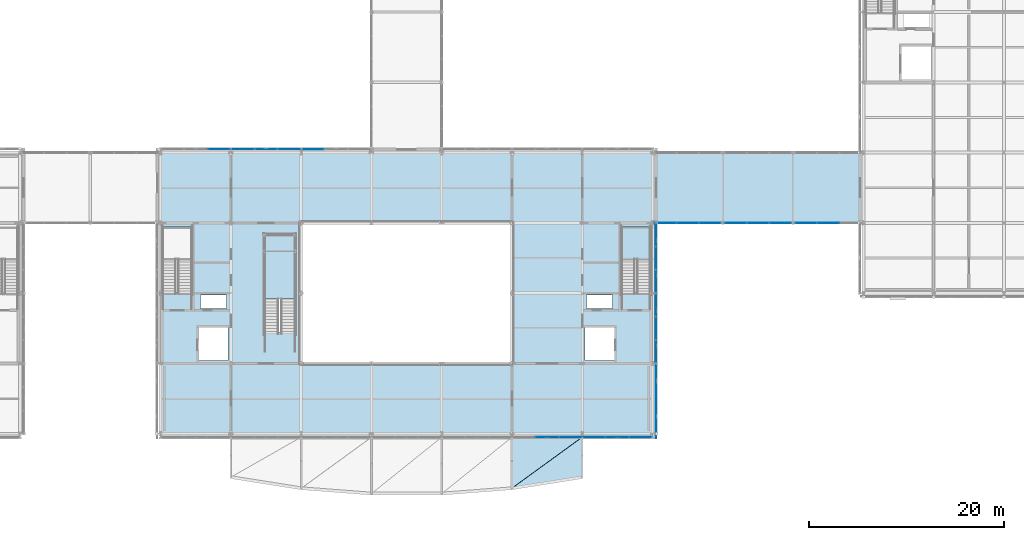
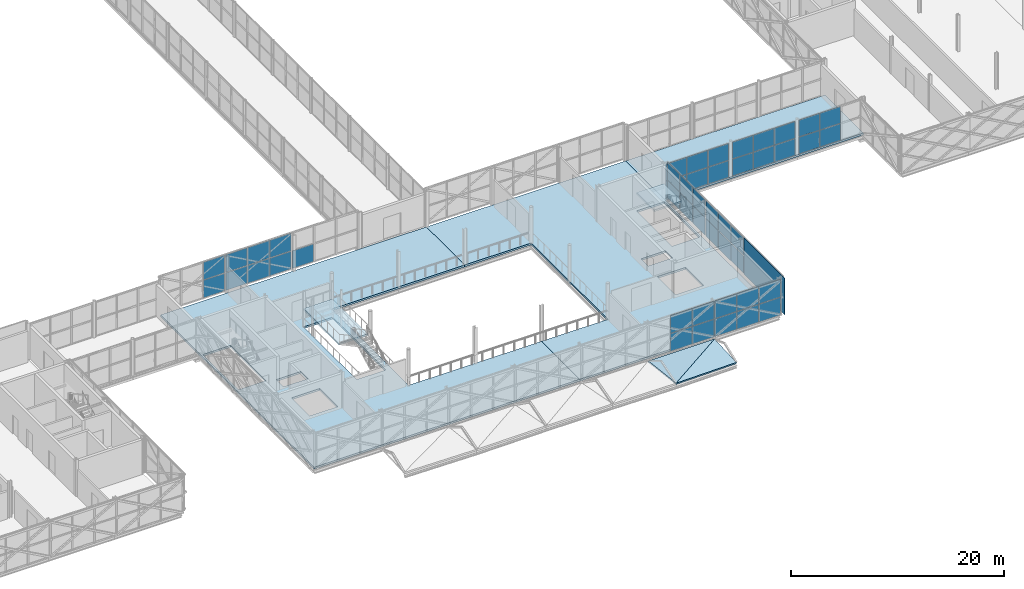
# One storey, part 89 of 146: 48 plates, 7 slabs, 12 elements without a shape of their own.
"""IFC4 building model written with IfcOpenShell, lengths in metres."""

from ifc_helpers import new_model, si_unit, direction, frame, origin, origin_2d, place, context, subcontext, project, spatial, polyline, rectangle, outline, extrude, material, layer, layer_set, type_object, element, aggregate, save


model = new_model("IFC4")

# Units and contexts
model_context = context("Model", 3, precision=1e-05, world=origin(), true_north=direction((0.0, 1.0)))
body_context = subcontext(model_context, "Body", "Model", "MODEL_VIEW")
ifc_project = project(units=[si_unit("LENGTHUNIT", "METRE"), si_unit("AREAUNIT", "SQUARE_METRE"), si_unit("VOLUMEUNIT", "CUBIC_METRE"), si_unit("PLANEANGLEUNIT", "RADIAN"), si_unit("MASSUNIT", "GRAM", prefix="KILO")], contexts=[model_context])

# Site, building, storey
site_placement = place(None, origin())
site = spatial("IfcSite", under=ifc_project, at=site_placement, CompositionType="ELEMENT")
building_placement = place(site_placement, origin())
building = spatial("IfcBuilding", under=site, at=building_placement, Name="Zlatovets Crest Museum", CompositionType="ELEMENT")
storey_placement = place(building_placement, frame((0.0, 0.0, 4.5)))
storey = spatial("IfcBuildingStorey", under=building, at=storey_placement, Name="L01", CompositionType="ELEMENT", Elevation=4.5)

# Curtain wall, plates
ifc_material_1 = material(Name="Bronze-anodised aluminium and low-E triple glass", Category="aluminium")
curtain_wall_type_1 = type_object("IfcCurtainWallType", Name="CW_CW-BR4-L01-S69", PredefinedType="NOTDEFINED", material=ifc_material_1)
curtain_wall_1_placement = place(storey_placement, origin())
curtain_wall_1 = element("IfcCurtainWall", 1, at=curtain_wall_1_placement, inside=storey, type_object=curtain_wall_type_1, Name="Southeast Archive Glazed Link Bridge L01 Glazed Bridge Curtain Wall", PredefinedType="NOTDEFINED")
ifc_material_2 = material(Name="Solar-control low-E laminated triple glass", Category="glass")
ifc_layer_1 = layer(ifc_material_2, 0.030029296875)
ifc_layer_set_1 = layer_set([ifc_layer_1], Name="Solar-control low-E laminated triple glass")
plate_type_1 = type_object("IfcPlateType", Name="CWPanel_CW-BR4-L01-S69", PredefinedType="CURTAIN_PANEL", material=ifc_layer_set_1)
plate_1_placement = place(storey_placement, frame((109.31494140625, 21.60009765625, 0.06005859375), z_axis=(0.0, 0.0, 1.0), x_axis=(1.0, 0.0, 0.0)))
plate_1 = element("IfcPlate", 2, at=plate_1_placement, type_object=plate_type_1, Name="CW-BR4-L01-S69 panel 1.1", PredefinedType="CURTAIN_PANEL", context=body_context, shape_type="SweptSolid", body=[
    extrude(rectangle(XDim=2.2099609375, YDim=0.030029296875, at=origin_2d()), origin(), (0.0, 0.0, 1.0), 1.89990234375),
])
plate_2_placement = place(storey_placement, frame((109.31494140625, 21.60009765625, 2.02001953125), z_axis=(0.0, 0.0, 1.0), x_axis=(1.0, 0.0, 0.0)))
plate_2 = element("IfcPlate", 3, at=plate_2_placement, type_object=plate_type_1, Name="CW-BR4-L01-S69 panel 1.2", PredefinedType="CURTAIN_PANEL", context=body_context, shape_type="SweptSolid", body=[
    extrude(rectangle(XDim=2.2099609375, YDim=0.030029296875, at=origin_2d()), origin(), (0.0, 0.0, 1.0), 1.89990234375),
])
plate_3_placement = place(storey_placement, frame((111.60009765625, 21.60009765625, 0.06005859375), z_axis=(0.0, 0.0, 1.0), x_axis=(1.0, 0.0, 0.0)))
plate_3 = element("IfcPlate", 4, at=plate_3_placement, type_object=plate_type_1, Name="CW-BR4-L01-S69 panel 2.1", PredefinedType="CURTAIN_PANEL", context=body_context, shape_type="SweptSolid", body=[
    extrude(rectangle(XDim=2.239990234375, YDim=0.030029296875, at=origin_2d()), origin(), (0.0, 0.0, 1.0), 1.89990234375),
])
plate_4_placement = place(storey_placement, frame((111.60009765625, 21.60009765625, 2.02001953125), z_axis=(0.0, 0.0, 1.0), x_axis=(1.0, 0.0, 0.0)))
plate_4 = element("IfcPlate", 5, at=plate_4_placement, type_object=plate_type_1, Name="CW-BR4-L01-S69 panel 2.2", PredefinedType="CURTAIN_PANEL", context=body_context, shape_type="SweptSolid", body=[
    extrude(rectangle(XDim=2.239990234375, YDim=0.030029296875, at=origin_2d()), origin(), (0.0, 0.0, 1.0), 1.89990234375),
])
plate_5_placement = place(storey_placement, frame((113.885009765625, 21.60009765625, 0.06005859375), z_axis=(0.0, 0.0, 1.0), x_axis=(1.0, 0.0, 0.0)))
plate_5 = element("IfcPlate", 6, at=plate_5_placement, type_object=plate_type_1, Name="CW-BR4-L01-S69 panel 3.1", PredefinedType="CURTAIN_PANEL", context=body_context, shape_type="SweptSolid", body=[
    extrude(rectangle(XDim=2.2099609375, YDim=0.030029296875, at=origin_2d()), origin(), (0.0, 0.0, 1.0), 1.89990234375),
])
plate_6_placement = place(storey_placement, frame((113.885009765625, 21.60009765625, 2.02001953125), z_axis=(0.0, 0.0, 1.0), x_axis=(1.0, 0.0, 0.0)))
plate_6 = element("IfcPlate", 7, at=plate_6_placement, type_object=plate_type_1, Name="CW-BR4-L01-S69 panel 3.2", PredefinedType="CURTAIN_PANEL", context=body_context, shape_type="SweptSolid", body=[
    extrude(rectangle(XDim=2.2099609375, YDim=0.030029296875, at=origin_2d()), origin(), (0.0, 0.0, 1.0), 1.89990234375),
])
aggregate(curtain_wall_1, [plate_1, plate_2, plate_3, plate_4, plate_5, plate_6])

curtain_wall_2_placement = place(storey_placement, origin())
curtain_wall_2 = element("IfcCurtainWall", 8, at=curtain_wall_2_placement, inside=storey, type_object=curtain_wall_type_1, Name="Southeast Archive Glazed Link Bridge L01 Glazed Bridge Curtain Wall", PredefinedType="NOTDEFINED")
plate_7_placement = place(storey_placement, frame((116.514892578125, 21.60009765625, 0.06005859375), z_axis=(0.0, 0.0, 1.0), x_axis=(1.0, 0.0, 0.0)))
plate_7 = element("IfcPlate", 9, at=plate_7_placement, type_object=plate_type_1, Name="CW-BR4-L01-S69 panel 1.1", PredefinedType="CURTAIN_PANEL", context=body_context, shape_type="SweptSolid", body=[
    extrude(rectangle(XDim=2.2099609375, YDim=0.030029296875, at=origin_2d()), origin(), (0.0, 0.0, 1.0), 1.89990234375),
])
plate_8_placement = place(storey_placement, frame((116.514892578125, 21.60009765625, 2.02001953125), z_axis=(0.0, 0.0, 1.0), x_axis=(1.0, 0.0, 0.0)))
plate_8 = element("IfcPlate", 10, at=plate_8_placement, type_object=plate_type_1, Name="CW-BR4-L01-S69 panel 1.2", PredefinedType="CURTAIN_PANEL", context=body_context, shape_type="SweptSolid", body=[
    extrude(rectangle(XDim=2.2099609375, YDim=0.030029296875, at=origin_2d()), origin(), (0.0, 0.0, 1.0), 1.89990234375),
])
plate_9_placement = place(storey_placement, frame((118.800048828125, 21.60009765625, 0.06005859375), z_axis=(0.0, 0.0, 1.0), x_axis=(1.0, 0.0, 0.0)))
plate_9 = element("IfcPlate", 11, at=plate_9_placement, type_object=plate_type_1, Name="CW-BR4-L01-S69 panel 2.1", PredefinedType="CURTAIN_PANEL", context=body_context, shape_type="SweptSolid", body=[
    extrude(rectangle(XDim=2.239990234375, YDim=0.030029296875, at=origin_2d()), origin(), (0.0, 0.0, 1.0), 1.89990234375),
])
plate_10_placement = place(storey_placement, frame((118.800048828125, 21.60009765625, 2.02001953125), z_axis=(0.0, 0.0, 1.0), x_axis=(1.0, 0.0, 0.0)))
plate_10 = element("IfcPlate", 12, at=plate_10_placement, type_object=plate_type_1, Name="CW-BR4-L01-S69 panel 2.2", PredefinedType="CURTAIN_PANEL", context=body_context, shape_type="SweptSolid", body=[
    extrude(rectangle(XDim=2.239990234375, YDim=0.030029296875, at=origin_2d()), origin(), (0.0, 0.0, 1.0), 1.89990234375),
])
plate_11_placement = place(storey_placement, frame((121.0849609375, 21.60009765625, 0.06005859375), z_axis=(0.0, 0.0, 1.0), x_axis=(1.0, 0.0, 0.0)))
plate_11 = element("IfcPlate", 13, at=plate_11_placement, type_object=plate_type_1, Name="CW-BR4-L01-S69 panel 3.1", PredefinedType="CURTAIN_PANEL", context=body_context, shape_type="SweptSolid", body=[
    extrude(rectangle(XDim=2.2099609375, YDim=0.030029296875, at=origin_2d()), origin(), (0.0, 0.0, 1.0), 1.89990234375),
])
plate_12_placement = place(storey_placement, frame((121.0849609375, 21.60009765625, 2.02001953125), z_axis=(0.0, 0.0, 1.0), x_axis=(1.0, 0.0, 0.0)))
plate_12 = element("IfcPlate", 14, at=plate_12_placement, type_object=plate_type_1, Name="CW-BR4-L01-S69 panel 3.2", PredefinedType="CURTAIN_PANEL", context=body_context, shape_type="SweptSolid", body=[
    extrude(rectangle(XDim=2.2099609375, YDim=0.030029296875, at=origin_2d()), origin(), (0.0, 0.0, 1.0), 1.89990234375),
])
aggregate(curtain_wall_2, [plate_7, plate_8, plate_9, plate_10, plate_11, plate_12])

curtain_wall_3_placement = place(storey_placement, origin())
curtain_wall_3 = element("IfcCurtainWall", 15, at=curtain_wall_3_placement, inside=storey, type_object=curtain_wall_type_1, Name="Southeast Archive Glazed Link Bridge L01 Glazed Bridge Curtain Wall", PredefinedType="NOTDEFINED")
plate_13_placement = place(storey_placement, frame((123.715087890625, 21.60009765625, 0.06005859375), z_axis=(0.0, 0.0, 1.0), x_axis=(1.0, 0.0, 0.0)))
plate_13 = element("IfcPlate", 16, at=plate_13_placement, type_object=plate_type_1, Name="CW-BR4-L01-S69 panel 1.1", PredefinedType="CURTAIN_PANEL", context=body_context, shape_type="SweptSolid", body=[
    extrude(rectangle(XDim=2.2099609375, YDim=0.030029296875, at=origin_2d()), origin(), (0.0, 0.0, 1.0), 1.89990234375),
])
plate_14_placement = place(storey_placement, frame((123.715087890625, 21.60009765625, 2.02001953125), z_axis=(0.0, 0.0, 1.0), x_axis=(1.0, 0.0, 0.0)))
plate_14 = element("IfcPlate", 17, at=plate_14_placement, type_object=plate_type_1, Name="CW-BR4-L01-S69 panel 1.2", PredefinedType="CURTAIN_PANEL", context=body_context, shape_type="SweptSolid", body=[
    extrude(rectangle(XDim=2.2099609375, YDim=0.030029296875, at=origin_2d()), origin(), (0.0, 0.0, 1.0), 1.89990234375),
])
plate_15_placement = place(storey_placement, frame((126.0, 21.60009765625, 0.06005859375), z_axis=(0.0, 0.0, 1.0), x_axis=(1.0, 0.0, 0.0)))
plate_15 = element("IfcPlate", 18, at=plate_15_placement, type_object=plate_type_1, Name="CW-BR4-L01-S69 panel 2.1", PredefinedType="CURTAIN_PANEL", context=body_context, shape_type="SweptSolid", body=[
    extrude(rectangle(XDim=2.239990234375, YDim=0.030029296875, at=origin_2d()), origin(), (0.0, 0.0, 1.0), 1.89990234375),
])
plate_16_placement = place(storey_placement, frame((126.0, 21.60009765625, 2.02001953125), z_axis=(0.0, 0.0, 1.0), x_axis=(1.0, 0.0, 0.0)))
plate_16 = element("IfcPlate", 19, at=plate_16_placement, type_object=plate_type_1, Name="CW-BR4-L01-S69 panel 2.2", PredefinedType="CURTAIN_PANEL", context=body_context, shape_type="SweptSolid", body=[
    extrude(rectangle(XDim=2.239990234375, YDim=0.030029296875, at=origin_2d()), origin(), (0.0, 0.0, 1.0), 1.89990234375),
])
aggregate(curtain_wall_3, [plate_13, plate_14, plate_15, plate_16])

curtain_wall_type_2 = type_object("IfcCurtainWallType", Name="CW_CW-V2-L01-M0", PredefinedType="NOTDEFINED", material=ifc_material_1)
curtain_wall_4_placement = place(storey_placement, origin())
curtain_wall_4 = element("IfcCurtainWall", 20, at=curtain_wall_4_placement, inside=storey, type_object=curtain_wall_type_2, Name="V2 L01 Expressed Core Glazed Facade", PredefinedType="NOTDEFINED")
ifc_layer_2 = layer(ifc_material_2, 0.028076171875)
ifc_layer_set_2 = layer_set([ifc_layer_2], Name="Solar-control low-E laminated triple glass")
plate_type_2 = type_object("IfcPlateType", Name="CWPanel_CW-V2-L01-M0", PredefinedType="CURTAIN_PANEL", material=ifc_layer_set_2)
plate_17_placement = place(storey_placement, frame((108.340087890625, 8.4150390625, 0.06005859375), z_axis=(0.0, 0.0, 1.0), x_axis=(0.0, 1.0, 0.0)))
plate_17 = element("IfcPlate", 21, at=plate_17_placement, type_object=plate_type_2, Name="CW-V2-L01-M0 panel 1.1", PredefinedType="CURTAIN_PANEL", context=body_context, shape_type="SweptSolid", body=[
    extrude(rectangle(XDim=2.31005859375, YDim=0.030029296875, at=origin_2d()), origin(), (0.0, 0.0, 1.0), 2.010009765625),
])
plate_18_placement = place(storey_placement, frame((108.340087890625, 8.4150390625, 2.1298828125), z_axis=(0.0, 0.0, 1.0), x_axis=(0.0, 1.0, 0.0)))
plate_18 = element("IfcPlate", 22, at=plate_18_placement, type_object=plate_type_2, Name="CW-V2-L01-M0 panel 1.2", PredefinedType="CURTAIN_PANEL", context=body_context, shape_type="SweptSolid", body=[
    extrude(rectangle(XDim=2.31005859375, YDim=0.030029296875, at=origin_2d()), origin(), (0.0, 0.0, 1.0), 2.010009765625),
])
plate_19_placement = place(storey_placement, frame((108.340087890625, 10.800048828125, 0.06005859375), z_axis=(0.0, 0.0, 1.0), x_axis=(0.0, 1.0, 0.0)))
plate_19 = element("IfcPlate", 23, at=plate_19_placement, type_object=plate_type_2, Name="CW-V2-L01-M0 panel 2.1", PredefinedType="CURTAIN_PANEL", context=body_context, shape_type="SweptSolid", body=[
    extrude(rectangle(XDim=2.340087890625, YDim=0.030029296875, at=origin_2d()), origin(), (0.0, 0.0, 1.0), 2.010009765625),
])
plate_20_placement = place(storey_placement, frame((108.340087890625, 10.800048828125, 2.1298828125), z_axis=(0.0, 0.0, 1.0), x_axis=(0.0, 1.0, 0.0)))
plate_20 = element("IfcPlate", 24, at=plate_20_placement, type_object=plate_type_2, Name="CW-V2-L01-M0 panel 2.2", PredefinedType="CURTAIN_PANEL", context=body_context, shape_type="SweptSolid", body=[
    extrude(rectangle(XDim=2.340087890625, YDim=0.030029296875, at=origin_2d()), origin(), (0.0, 0.0, 1.0), 2.010009765625),
])
plate_21_placement = place(storey_placement, frame((108.340087890625, 13.18505859375, 0.06005859375), z_axis=(0.0, 0.0, 1.0), x_axis=(0.0, 1.0, 0.0)))
plate_21 = element("IfcPlate", 25, at=plate_21_placement, type_object=plate_type_2, Name="CW-V2-L01-M0 panel 3.1", PredefinedType="CURTAIN_PANEL", context=body_context, shape_type="SweptSolid", body=[
    extrude(rectangle(XDim=2.31005859375, YDim=0.030029296875, at=origin_2d()), origin(), (0.0, 0.0, 1.0), 2.010009765625),
])
plate_22_placement = place(storey_placement, frame((108.340087890625, 13.18505859375, 2.1298828125), z_axis=(0.0, 0.0, 1.0), x_axis=(0.0, 1.0, 0.0)))
plate_22 = element("IfcPlate", 26, at=plate_22_placement, type_object=plate_type_2, Name="CW-V2-L01-M0 panel 3.2", PredefinedType="CURTAIN_PANEL", context=body_context, shape_type="SweptSolid", body=[
    extrude(rectangle(XDim=2.31005859375, YDim=0.030029296875, at=origin_2d()), origin(), (0.0, 0.0, 1.0), 2.010009765625),
])
aggregate(curtain_wall_4, [plate_17, plate_18, plate_19, plate_20, plate_21, plate_22])

curtain_wall_5_placement = place(storey_placement, origin())
curtain_wall_5 = element("IfcCurtainWall", 27, at=curtain_wall_5_placement, inside=storey, type_object=curtain_wall_type_2, Name="V2 L01 Secession Foyer Clear Curtain Wall", PredefinedType="NOTDEFINED")
plate_23_placement = place(storey_placement, frame((70.784912109375, 29.139892578125, 0.06005859375), z_axis=(0.0, 0.0, 1.0), x_axis=(-1.0, 0.0, 0.0)))
plate_23 = element("IfcPlate", 28, at=plate_23_placement, type_object=plate_type_2, Name="CW-V2-L01-M0 panel 1.1", PredefinedType="CURTAIN_PANEL", context=body_context, shape_type="SweptSolid", body=[
    extrude(rectangle(XDim=2.31005859375, YDim=0.028076171875, at=origin_2d()), origin(), (0.0, 0.0, 1.0), 2.010009765625),
])
plate_24_placement = place(storey_placement, frame((70.784912109375, 29.139892578125, 2.1298828125), z_axis=(0.0, 0.0, 1.0), x_axis=(-1.0, 0.0, 0.0)))
plate_24 = element("IfcPlate", 29, at=plate_24_placement, type_object=plate_type_2, Name="CW-V2-L01-M0 panel 1.2", PredefinedType="CURTAIN_PANEL", context=body_context, shape_type="SweptSolid", body=[
    extrude(rectangle(XDim=2.31005859375, YDim=0.028076171875, at=origin_2d()), origin(), (0.0, 0.0, 1.0), 2.010009765625),
])
plate_25_placement = place(storey_placement, frame((68.39990234375, 29.139892578125, 0.06005859375), z_axis=(0.0, 0.0, 1.0), x_axis=(-1.0, 0.0, 0.0)))
plate_25 = element("IfcPlate", 30, at=plate_25_placement, type_object=plate_type_2, Name="CW-V2-L01-M0 panel 2.1", PredefinedType="CURTAIN_PANEL", context=body_context, shape_type="SweptSolid", body=[
    extrude(rectangle(XDim=2.340087890625, YDim=0.028076171875, at=origin_2d()), origin(), (0.0, 0.0, 1.0), 2.010009765625),
])
plate_26_placement = place(storey_placement, frame((68.39990234375, 29.139892578125, 2.1298828125), z_axis=(0.0, 0.0, 1.0), x_axis=(-1.0, 0.0, 0.0)))
plate_26 = element("IfcPlate", 31, at=plate_26_placement, type_object=plate_type_2, Name="CW-V2-L01-M0 panel 2.2", PredefinedType="CURTAIN_PANEL", context=body_context, shape_type="SweptSolid", body=[
    extrude(rectangle(XDim=2.340087890625, YDim=0.028076171875, at=origin_2d()), origin(), (0.0, 0.0, 1.0), 2.010009765625),
])
plate_27_placement = place(storey_placement, frame((66.014892578125, 29.139892578125, 0.06005859375), z_axis=(0.0, 0.0, 1.0), x_axis=(-1.0, 0.0, 0.0)))
plate_27 = element("IfcPlate", 32, at=plate_27_placement, type_object=plate_type_2, Name="CW-V2-L01-M0 panel 3.1", PredefinedType="CURTAIN_PANEL", context=body_context, shape_type="SweptSolid", body=[
    extrude(rectangle(XDim=2.31005859375, YDim=0.028076171875, at=origin_2d()), origin(), (0.0, 0.0, 1.0), 2.010009765625),
])
plate_28_placement = place(storey_placement, frame((66.014892578125, 29.139892578125, 2.1298828125), z_axis=(0.0, 0.0, 1.0), x_axis=(-1.0, 0.0, 0.0)))
plate_28 = element("IfcPlate", 33, at=plate_28_placement, type_object=plate_type_2, Name="CW-V2-L01-M0 panel 3.2", PredefinedType="CURTAIN_PANEL", context=body_context, shape_type="SweptSolid", body=[
    extrude(rectangle(XDim=2.31005859375, YDim=0.028076171875, at=origin_2d()), origin(), (0.0, 0.0, 1.0), 2.010009765625),
])
aggregate(curtain_wall_5, [plate_23, plate_24, plate_25, plate_26, plate_27, plate_28])

curtain_wall_type_3 = type_object("IfcCurtainWallType", Name="CW_CW-V2-L01-M1", PredefinedType="NOTDEFINED", material=ifc_material_1)
curtain_wall_6_placement = place(storey_placement, origin())
curtain_wall_6 = element("IfcCurtainWall", 34, at=curtain_wall_6_placement, inside=storey, type_object=curtain_wall_type_3, Name="V2 L01 Secession Foyer Clear Curtain Wall", PredefinedType="NOTDEFINED")
ifc_layer_3 = layer(ifc_material_2, 0.031982421875)
ifc_layer_set_3 = layer_set([ifc_layer_3], Name="Solar-control low-E laminated triple glass")
plate_type_3 = type_object("IfcPlateType", Name="CWPanel_CW-V2-L01-M1", PredefinedType="CURTAIN_PANEL", material=ifc_layer_set_3)
plate_29_placement = place(storey_placement, frame((97.199951171875, -0.340087890625, 0.06005859375), z_axis=(0.0, 0.0, 1.0), x_axis=(1.0, 0.0, 0.0)))
plate_29 = element("IfcPlate", 35, at=plate_29_placement, type_object=plate_type_3, Name="CW-V2-L01-M1 panel 2.1", PredefinedType="CURTAIN_PANEL", context=body_context, shape_type="SweptSolid", body=[
    extrude(rectangle(XDim=2.340087890625, YDim=0.031982421875, at=origin_2d()), origin(), (0.0, 0.0, 1.0), 2.010009765625),
])
plate_30_placement = place(storey_placement, frame((97.199951171875, -0.340087890625, 2.1298828125), z_axis=(0.0, 0.0, 1.0), x_axis=(1.0, 0.0, 0.0)))
plate_30 = element("IfcPlate", 36, at=plate_30_placement, type_object=plate_type_3, Name="CW-V2-L01-M1 panel 2.2", PredefinedType="CURTAIN_PANEL", context=body_context, shape_type="SweptSolid", body=[
    extrude(rectangle(XDim=2.340087890625, YDim=0.031982421875, at=origin_2d()), origin(), (0.0, 0.0, 1.0), 2.010009765625),
])
plate_31_placement = place(storey_placement, frame((99.5849609375, -0.340087890625, 0.06005859375), z_axis=(0.0, 0.0, 1.0), x_axis=(1.0, 0.0, 0.0)))
plate_31 = element("IfcPlate", 37, at=plate_31_placement, type_object=plate_type_3, Name="CW-V2-L01-M1 panel 3.1", PredefinedType="CURTAIN_PANEL", context=body_context, shape_type="SweptSolid", body=[
    extrude(rectangle(XDim=2.31005859375, YDim=0.031982421875, at=origin_2d()), origin(), (0.0, 0.0, 1.0), 2.010009765625),
])
plate_32_placement = place(storey_placement, frame((99.5849609375, -0.340087890625, 2.1298828125), z_axis=(0.0, 0.0, 1.0), x_axis=(1.0, 0.0, 0.0)))
plate_32 = element("IfcPlate", 38, at=plate_32_placement, type_object=plate_type_3, Name="CW-V2-L01-M1 panel 3.2", PredefinedType="CURTAIN_PANEL", context=body_context, shape_type="SweptSolid", body=[
    extrude(rectangle(XDim=2.31005859375, YDim=0.031982421875, at=origin_2d()), origin(), (0.0, 0.0, 1.0), 2.010009765625),
])
aggregate(curtain_wall_6, [plate_29, plate_30, plate_31, plate_32])

curtain_wall_7_placement = place(storey_placement, origin())
curtain_wall_7 = element("IfcCurtainWall", 39, at=curtain_wall_7_placement, inside=storey, type_object=curtain_wall_type_3, Name="V2 L01 Expressed Core Glazed Facade", PredefinedType="NOTDEFINED")
plate_33_placement = place(storey_placement, frame((108.340087890625, 15.614990234375, 0.06005859375), z_axis=(0.0, 0.0, 1.0), x_axis=(0.0, 1.0, 0.0)))
plate_33 = element("IfcPlate", 40, at=plate_33_placement, type_object=plate_type_3, Name="CW-V2-L01-M1 panel 1.1", PredefinedType="CURTAIN_PANEL", context=body_context, shape_type="SweptSolid", body=[
    extrude(rectangle(XDim=2.31005859375, YDim=0.030029296875, at=origin_2d()), origin(), (0.0, 0.0, 1.0), 2.010009765625),
])
plate_34_placement = place(storey_placement, frame((108.340087890625, 15.614990234375, 2.1298828125), z_axis=(0.0, 0.0, 1.0), x_axis=(0.0, 1.0, 0.0)))
plate_34 = element("IfcPlate", 41, at=plate_34_placement, type_object=plate_type_3, Name="CW-V2-L01-M1 panel 1.2", PredefinedType="CURTAIN_PANEL", context=body_context, shape_type="SweptSolid", body=[
    extrude(rectangle(XDim=2.31005859375, YDim=0.030029296875, at=origin_2d()), origin(), (0.0, 0.0, 1.0), 2.010009765625),
])
plate_35_placement = place(storey_placement, frame((108.340087890625, 18.0, 0.06005859375), z_axis=(0.0, 0.0, 1.0), x_axis=(0.0, 1.0, 0.0)))
plate_35 = element("IfcPlate", 42, at=plate_35_placement, type_object=plate_type_3, Name="CW-V2-L01-M1 panel 2.1", PredefinedType="CURTAIN_PANEL", context=body_context, shape_type="SweptSolid", body=[
    extrude(rectangle(XDim=2.340087890625, YDim=0.030029296875, at=origin_2d()), origin(), (0.0, 0.0, 1.0), 2.010009765625),
])
plate_36_placement = place(storey_placement, frame((108.340087890625, 18.0, 2.1298828125), z_axis=(0.0, 0.0, 1.0), x_axis=(0.0, 1.0, 0.0)))
plate_36 = element("IfcPlate", 43, at=plate_36_placement, type_object=plate_type_3, Name="CW-V2-L01-M1 panel 2.2", PredefinedType="CURTAIN_PANEL", context=body_context, shape_type="SweptSolid", body=[
    extrude(rectangle(XDim=2.340087890625, YDim=0.030029296875, at=origin_2d()), origin(), (0.0, 0.0, 1.0), 2.010009765625),
])
plate_37_placement = place(storey_placement, frame((108.340087890625, 20.385009765625, 0.06005859375), z_axis=(0.0, 0.0, 1.0), x_axis=(0.0, 1.0, 0.0)))
plate_37 = element("IfcPlate", 44, at=plate_37_placement, type_object=plate_type_3, Name="CW-V2-L01-M1 panel 3.1", PredefinedType="CURTAIN_PANEL", context=body_context, shape_type="SweptSolid", body=[
    extrude(rectangle(XDim=2.31005859375, YDim=0.030029296875, at=origin_2d()), origin(), (0.0, 0.0, 1.0), 2.010009765625),
])
plate_38_placement = place(storey_placement, frame((108.340087890625, 20.385009765625, 2.1298828125), z_axis=(0.0, 0.0, 1.0), x_axis=(0.0, 1.0, 0.0)))
plate_38 = element("IfcPlate", 45, at=plate_38_placement, type_object=plate_type_3, Name="CW-V2-L01-M1 panel 3.2", PredefinedType="CURTAIN_PANEL", context=body_context, shape_type="SweptSolid", body=[
    extrude(rectangle(XDim=2.31005859375, YDim=0.030029296875, at=origin_2d()), origin(), (0.0, 0.0, 1.0), 2.010009765625),
])
aggregate(curtain_wall_7, [plate_33, plate_34, plate_35, plate_36, plate_37, plate_38])

curtain_wall_8_placement = place(storey_placement, origin())
curtain_wall_8 = element("IfcCurtainWall", 46, at=curtain_wall_8_placement, inside=storey, type_object=curtain_wall_type_3, Name="V2 L01 Secession Foyer Clear Curtain Wall", PredefinedType="NOTDEFINED")
plate_39_placement = place(storey_placement, frame((63.5849609375, 29.139892578125, 0.06005859375), z_axis=(0.0, 0.0, 1.0), x_axis=(-1.0, 0.0, 0.0)))
plate_39 = element("IfcPlate", 47, at=plate_39_placement, type_object=plate_type_3, Name="CW-V2-L01-M1 panel 1.1", PredefinedType="CURTAIN_PANEL", context=body_context, shape_type="SweptSolid", body=[
    extrude(rectangle(XDim=2.31005859375, YDim=0.031982421875, at=origin_2d()), origin(), (0.0, 0.0, 1.0), 2.010009765625),
])
plate_40_placement = place(storey_placement, frame((63.5849609375, 29.139892578125, 2.1298828125), z_axis=(0.0, 0.0, 1.0), x_axis=(-1.0, 0.0, 0.0)))
plate_40 = element("IfcPlate", 48, at=plate_40_placement, type_object=plate_type_3, Name="CW-V2-L01-M1 panel 1.2", PredefinedType="CURTAIN_PANEL", context=body_context, shape_type="SweptSolid", body=[
    extrude(rectangle(XDim=2.31005859375, YDim=0.031982421875, at=origin_2d()), origin(), (0.0, 0.0, 1.0), 2.010009765625),
])
aggregate(curtain_wall_8, [plate_39, plate_40])

curtain_wall_type_4 = type_object("IfcCurtainWallType", Name="CW_CW-V2-L01-M2", PredefinedType="NOTDEFINED", material=ifc_material_1)
curtain_wall_9_placement = place(storey_placement, origin())
curtain_wall_9 = element("IfcCurtainWall", 49, at=curtain_wall_9_placement, inside=storey, type_object=curtain_wall_type_4, Name="V2 L01 Secession Foyer Clear Curtain Wall", PredefinedType="NOTDEFINED")
ifc_layer_4 = layer(ifc_material_2, 0.035888671875)
ifc_layer_set_4 = layer_set([ifc_layer_4], Name="Solar-control low-E laminated triple glass")
plate_type_4 = type_object("IfcPlateType", Name="CWPanel_CW-V2-L01-M2", PredefinedType="CURTAIN_PANEL", material=ifc_layer_set_4)
plate_41_placement = place(storey_placement, frame((102.014892578125, -0.340087890625, 0.06005859375), z_axis=(0.0, 0.0, 1.0), x_axis=(1.0, 0.0, 0.0)))
plate_41 = element("IfcPlate", 50, at=plate_41_placement, type_object=plate_type_4, Name="CW-V2-L01-M2 panel 1.1", PredefinedType="CURTAIN_PANEL", context=body_context, shape_type="SweptSolid", body=[
    extrude(rectangle(XDim=2.31005859375, YDim=0.035888671875, at=origin_2d()), origin(), (0.0, 0.0, 1.0), 2.010009765625),
])
plate_42_placement = place(storey_placement, frame((102.014892578125, -0.340087890625, 2.1298828125), z_axis=(0.0, 0.0, 1.0), x_axis=(1.0, 0.0, 0.0)))
plate_42 = element("IfcPlate", 51, at=plate_42_placement, type_object=plate_type_4, Name="CW-V2-L01-M2 panel 1.2", PredefinedType="CURTAIN_PANEL", context=body_context, shape_type="SweptSolid", body=[
    extrude(rectangle(XDim=2.31005859375, YDim=0.035888671875, at=origin_2d()), origin(), (0.0, 0.0, 1.0), 2.010009765625),
])
plate_43_placement = place(storey_placement, frame((104.39990234375, -0.340087890625, 0.06005859375), z_axis=(0.0, 0.0, 1.0), x_axis=(1.0, 0.0, 0.0)))
plate_43 = element("IfcPlate", 52, at=plate_43_placement, type_object=plate_type_4, Name="CW-V2-L01-M2 panel 2.1", PredefinedType="CURTAIN_PANEL", context=body_context, shape_type="SweptSolid", body=[
    extrude(rectangle(XDim=2.340087890625, YDim=0.035888671875, at=origin_2d()), origin(), (0.0, 0.0, 1.0), 2.010009765625),
])
plate_44_placement = place(storey_placement, frame((104.39990234375, -0.340087890625, 2.1298828125), z_axis=(0.0, 0.0, 1.0), x_axis=(1.0, 0.0, 0.0)))
plate_44 = element("IfcPlate", 53, at=plate_44_placement, type_object=plate_type_4, Name="CW-V2-L01-M2 panel 2.2", PredefinedType="CURTAIN_PANEL", context=body_context, shape_type="SweptSolid", body=[
    extrude(rectangle(XDim=2.340087890625, YDim=0.035888671875, at=origin_2d()), origin(), (0.0, 0.0, 1.0), 2.010009765625),
])
plate_45_placement = place(storey_placement, frame((106.784912109375, -0.340087890625, 0.06005859375), z_axis=(0.0, 0.0, 1.0), x_axis=(1.0, 0.0, 0.0)))
plate_45 = element("IfcPlate", 54, at=plate_45_placement, type_object=plate_type_4, Name="CW-V2-L01-M2 panel 3.1", PredefinedType="CURTAIN_PANEL", context=body_context, shape_type="SweptSolid", body=[
    extrude(rectangle(XDim=2.31005859375, YDim=0.035888671875, at=origin_2d()), origin(), (0.0, 0.0, 1.0), 2.010009765625),
])
plate_46_placement = place(storey_placement, frame((106.784912109375, -0.340087890625, 2.1298828125), z_axis=(0.0, 0.0, 1.0), x_axis=(1.0, 0.0, 0.0)))
plate_46 = element("IfcPlate", 55, at=plate_46_placement, type_object=plate_type_4, Name="CW-V2-L01-M2 panel 3.2", PredefinedType="CURTAIN_PANEL", context=body_context, shape_type="SweptSolid", body=[
    extrude(rectangle(XDim=2.31005859375, YDim=0.035888671875, at=origin_2d()), origin(), (0.0, 0.0, 1.0), 2.010009765625),
])
aggregate(curtain_wall_9, [plate_41, plate_42, plate_43, plate_44, plate_45, plate_46])

# Curtain wall, plate
curtain_wall_type_5 = type_object("IfcCurtainWallType", Name="CW_CW-V2-L01-M3", PredefinedType="NOTDEFINED", material=ifc_material_1)
curtain_wall_10_placement = place(storey_placement, origin())
curtain_wall_10 = element("IfcCurtainWall", 56, at=curtain_wall_10_placement, inside=storey, type_object=curtain_wall_type_5, Name="V2 L01 Secession Foyer Clear Curtain Wall", PredefinedType="NOTDEFINED")
ifc_layer_5 = layer(ifc_material_2, 0.0400390625)
ifc_layer_set_5 = layer_set([ifc_layer_5], Name="Solar-control low-E laminated triple glass")
plate_type_5 = type_object("IfcPlateType", Name="CWPanel_CW-V2-L01-M3", PredefinedType="CURTAIN_PANEL", material=ifc_layer_set_5)
plate_47_placement = place(storey_placement, frame((73.215087890625, 29.139892578125, 0.06005859375), z_axis=(0.0, 0.0, 1.0), x_axis=(-1.0, 0.0, 0.0)))
plate_47 = element("IfcPlate", 57, at=plate_47_placement, type_object=plate_type_5, Name="CW-V2-L01-M3 panel 3.1", PredefinedType="CURTAIN_PANEL", context=body_context, shape_type="SweptSolid", body=[
    extrude(rectangle(XDim=2.31005859375, YDim=0.0400390625, at=origin_2d()), origin(), (0.0, 0.0, 1.0), 2.010009765625),
])
aggregate(curtain_wall_10, [plate_47])

# Plate
ifc_material_3 = material(Name="Ceramic-fritted low-E laminated architectural glass", Category="glass")
ifc_layer_6 = layer(ifc_material_3, 0.031982421875)
ifc_layer_set_6 = layer_set([ifc_layer_6], Name="Ceramic-fritted low-E laminated architectural glass")
plate_type_6 = type_object("IfcPlateType", Name="GlazedSpandrel_GSP1", PredefinedType="USERDEFINED", material=ifc_layer_set_6)
plate_48_placement = place(storey_placement, frame((108.340087890625, 3.360107421875, 0.0), z_axis=(0.0, 0.0, 1.0), x_axis=(0.0, 1.0, 0.0)))
element("IfcPlate", 58, at=plate_48_placement, inside=storey, type_object=plate_type_6, Name="V2 L01 Ceramic-Fritted Gallery Glass Skin", ObjectType="GLAZED_SPANDREL", PredefinedType="USERDEFINED", context=body_context, shape_type="SweptSolid", body=[
    extrude(rectangle(XDim=7.679931640625, YDim=0.031982421875, at=origin_2d()), origin(), (0.0, 0.0, 1.0), 4.199951171875),
])

# Slabs
ifc_material_4 = material(Name="Concrete C30/37", Category="concrete")
ifc_layer_7 = layer(ifc_material_4, 0.219970703125)
ifc_layer_set_7 = layer_set([ifc_layer_7], Name="Concrete C30/37")
slab_type_1 = type_object("IfcSlabType", Name="Slab_FS-02", PredefinedType="FLOOR", material=ifc_layer_set_7)
slab_1_placement = place(storey_placement, frame((0.0, 0.0, -0.219970703125)))
element("IfcSlab", 59, at=slab_1_placement, inside=storey, type_object=slab_type_1, Name="V2 L01 Structural Slab Panel 1", PredefinedType="FLOOR", context=body_context, shape_type="SweptSolid", body=[
    extrude(outline(polyline([(57.60009765625, 0.0), (57.60009765625, 28.800048828125), (86.39990234375, 28.800048828125), (86.39990234375, 21.60009765625), (72.0, 21.60009765625), (72.0, 7.199951171875), (86.39990234375, 7.199951171875), (86.39990234375, 0.0), (57.60009765625, 0.0)]), holes=[polyline([(57.800048828125, 14.5400390625), (60.800048828125, 14.5400390625), (60.800048828125, 21.199951171875), (57.800048828125, 21.199951171875), (57.800048828125, 14.5400390625)]), polyline([(71.39990234375, 20.39990234375), (68.25, 20.39990234375), (68.25, 10.43994140625), (71.39990234375, 10.43994140625), (71.39990234375, 20.39990234375)]), polyline([(64.5, 7.5), (64.5, 10.89990234375), (61.449951171875, 10.89990234375), (61.449951171875, 7.5), (64.5, 7.5)]), polyline([(61.699951171875, 12.85009765625), (64.35009765625, 12.85009765625), (64.35009765625, 14.199951171875), (61.699951171875, 14.199951171875), (61.699951171875, 12.85009765625)])]), origin(), (0.0, 0.0, 1.0), 0.219970703125),
])
slab_2_placement = place(storey_placement, frame((0.0, 0.0, -0.219970703125)))
element("IfcSlab", 60, at=slab_2_placement, inside=storey, type_object=slab_type_1, Name="V2 L01 Structural Slab Panel 2", PredefinedType="FLOOR", context=body_context, shape_type="SweptSolid", body=[
    extrude(outline(polyline([(108.0, 28.800048828125), (108.0, 0.0), (86.39990234375, 0.0), (86.39990234375, 7.199951171875), (93.60009765625, 7.199951171875), (93.60009765625, 21.60009765625), (86.39990234375, 21.60009765625), (86.39990234375, 28.800048828125), (108.0, 28.800048828125)]), holes=[polyline([(104.800048828125, 21.199951171875), (104.800048828125, 14.5400390625), (107.800048828125, 14.5400390625), (107.800048828125, 21.199951171875), (104.800048828125, 21.199951171875)]), polyline([(101.10009765625, 10.89990234375), (101.10009765625, 7.5), (104.14990234375, 7.5), (104.14990234375, 10.89990234375), (101.10009765625, 10.89990234375)]), polyline([(103.89990234375, 14.199951171875), (101.25, 14.199951171875), (101.25, 12.85009765625), (103.89990234375, 12.85009765625), (103.89990234375, 14.199951171875)])]), origin(), (0.0, 0.0, 1.0), 0.219970703125),
])
slab_3_placement = place(storey_placement, frame((0.0, 0.0, -0.219970703125)))
element("IfcSlab", 61, at=slab_3_placement, inside=storey, type_object=slab_type_1, Name="Southeast Archive Glazed Link Bridge L01 Deck Slab", PredefinedType="FLOOR", context=body_context, shape_type="SweptSolid", body=[
    extrude(outline(polyline([(129.60009765625, 21.60009765625), (129.60009765625, 28.800048828125), (108.0, 28.800048828125), (108.0, 21.60009765625), (129.60009765625, 21.60009765625)])), origin(), (0.0, 0.0, 1.0), 0.219970703125),
])
ifc_layer_8 = layer(ifc_material_4, 0.159912109375)
ifc_layer_set_8 = layer_set([ifc_layer_8], Name="Concrete C30/37")
slab_type_2 = type_object("IfcSlabType", Name="Slab_RS-04", PredefinedType="ROOF", material=ifc_layer_set_8)
slab_4_placement = place(storey_placement, frame((93.60009765625, -5.584716796875, 0.4228515625), z_axis=(0.120932370413, -0.048372152281, 0.991481465621), x_axis=(0.981542685585, 0.154898092934, -0.112162993809)))
element("IfcSlab", 62, at=slab_4_placement, inside=storey, type_object=slab_type_2, Name="Art Nouveau Curved Marquee Vault Shell", PredefinedType="ROOF", context=body_context, shape_type="SweptSolid", body=[
    extrude(outline(polyline([(0.0, 0.0), (7.335341883358244, -4.163336342344337e-17), (7.947747350680265, 4.0573057218407405), (0.0, 0.0)])), origin(), (0.0, 0.0, -1.0), 0.159912109375),
])
slab_5_placement = place(storey_placement, frame((93.60009765625, -5.584716796875, 0.4228515625), z_axis=(0.0, 0.118144390832, 0.992996426436), x_axis=(0.806855025387, 0.586612139274, -0.069793739438)))
element("IfcSlab", 63, at=slab_5_placement, inside=storey, type_object=slab_type_2, Name="Art Nouveau Curved Marquee Vault Shell", PredefinedType="ROOF", context=body_context, shape_type="SweptSolid", body=[
    extrude(outline(polyline([(0.0, 0.0), (8.923475649696522, 2.7755575615628914e-16), (3.114158864129098, 4.253367532004348), (0.0, 0.0)])), origin(), (0.0, 0.0, -1.0), 0.159912109375),
])

# Stair, slab
ifc_material_5 = material(Name="Concrete C35/45", Category="concrete")
stair_type_1 = type_object("IfcStairType", Name="Stair_ST9-26R", PredefinedType="HALF_TURN_STAIR", material=ifc_material_5)
stair_1_placement = place(storey_placement, origin())
stair_1 = element("IfcStair", 64, at=stair_1_placement, inside=storey, type_object=stair_type_1, Name="L01 Core C8 Escape Stair ST9", PredefinedType="HALF_TURN_STAIR")
ifc_layer_9 = layer(ifc_material_5, 0.199951171875)
ifc_layer_set_9 = layer_set([ifc_layer_9], Name="Concrete C35/45")
slab_type_3 = type_object("IfcSlabType", Name="StairLanding_SLD1", PredefinedType="LANDING", material=ifc_layer_set_9)
slab_6_placement = place(storey_placement, frame((0.0, 0.0, 1.89990234375)))
slab_6 = element("IfcSlab", 65, at=slab_6_placement, type_object=slab_type_3, Name="ST9 landing 1", PredefinedType="LANDING", context=body_context, shape_type="SweptSolid", body=[
    extrude(outline(polyline([(107.800048828125, 17.89990234375), (107.800048828125, 21.199951171875), (104.800048828125, 21.199951171875), (104.800048828125, 17.89990234375), (107.800048828125, 17.89990234375)])), origin(), (0.0, 0.0, 1.0), 0.2001953125),
])
aggregate(stair_1, [slab_6])

stair_type_2 = type_object("IfcStairType", Name="Stair_ST6-26R", PredefinedType="HALF_TURN_STAIR", material=ifc_material_5)
stair_2_placement = place(storey_placement, origin())
stair_2 = element("IfcStair", 66, at=stair_2_placement, inside=storey, type_object=stair_type_2, Name="L01 Atrium Feature Stair ST6", PredefinedType="HALF_TURN_STAIR")
slab_7_placement = place(storey_placement, frame((0.0, 0.0, 1.89990234375)))
slab_7 = element("IfcSlab", 67, at=slab_7_placement, type_object=slab_type_3, Name="ST6 landing 1", PredefinedType="LANDING", context=body_context, shape_type="SweptSolid", body=[
    extrude(outline(polyline([(71.39990234375, 13.800048828125), (71.39990234375, 20.39990234375), (68.25, 20.39990234375), (68.25, 13.800048828125), (71.39990234375, 13.800048828125)])), origin(), (0.0, 0.0, 1.0), 0.2001953125),
])
aggregate(stair_2, [slab_7])

save(model, "model.ifc")
